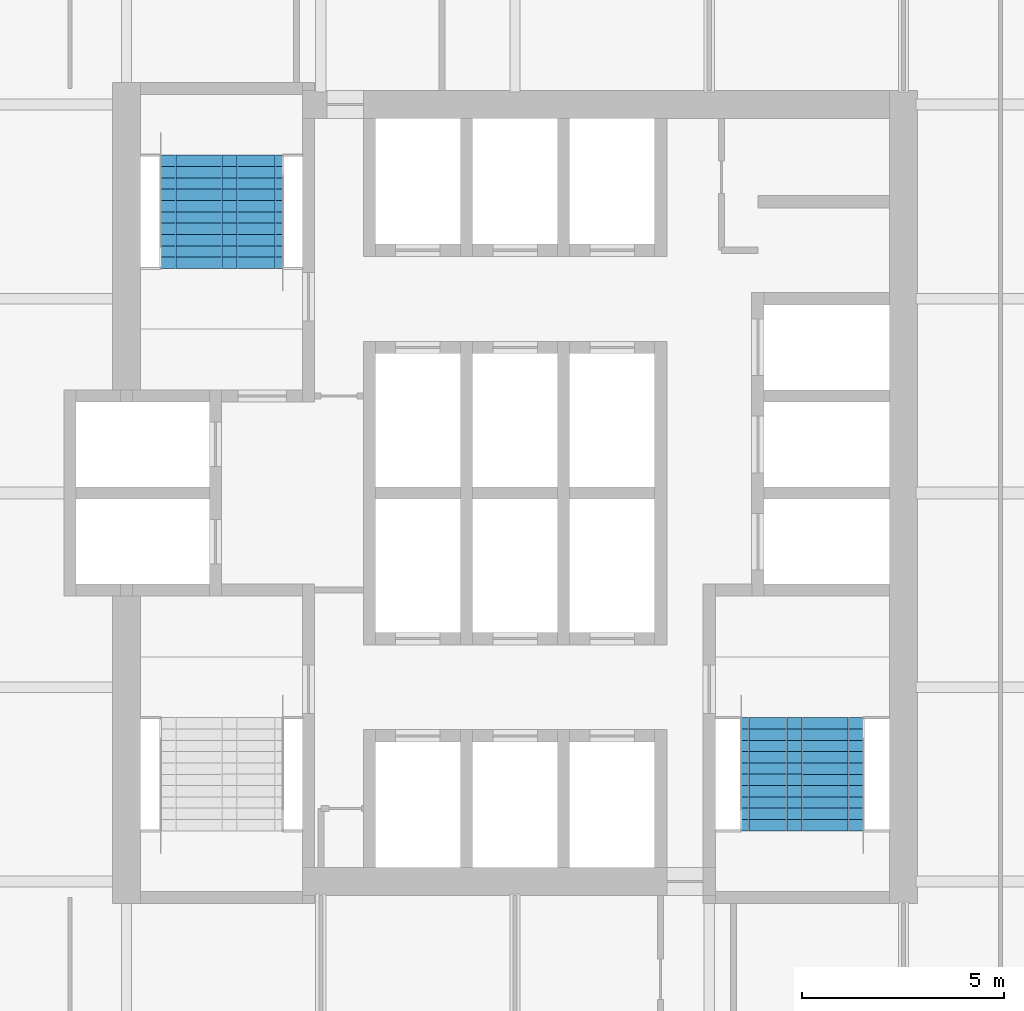
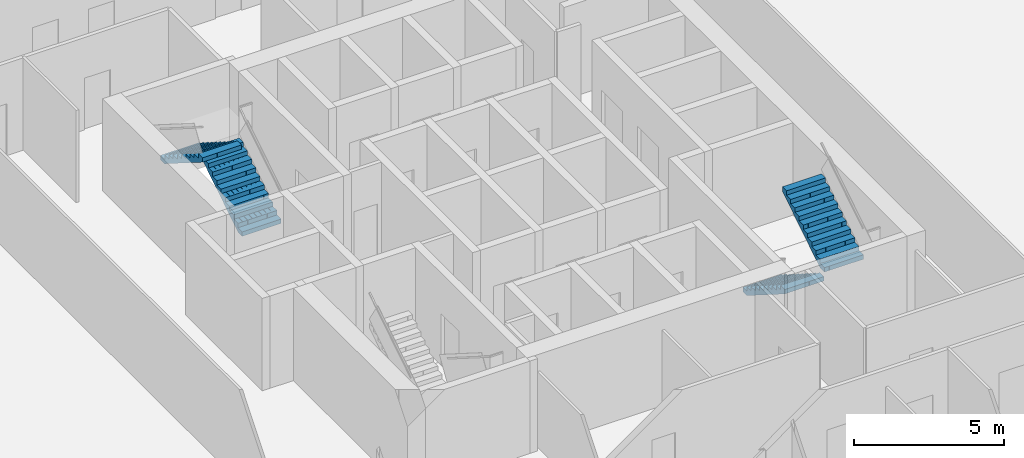
# One storey, part 13 of 15: 4 stair flights, 2 elements without a shape of their own.
"""IFC4 building model written with IfcOpenShell, lengths in metres."""

from ifc_helpers import new_model, si_unit, direction, frame, origin, place, context, subcontext, project, spatial, polyline, outline, extrude, material, type_object, element, aggregate, save


model = new_model("IFC4")

# Units and contexts
model_context = context("Model", 3, precision=1e-05, world=origin(), true_north=direction((0.0, 1.0)))
body_context = subcontext(model_context, "Body", "Model", "MODEL_VIEW")
ifc_project = project(units=[si_unit("LENGTHUNIT", "METRE"), si_unit("AREAUNIT", "SQUARE_METRE"), si_unit("VOLUMEUNIT", "CUBIC_METRE"), si_unit("PLANEANGLEUNIT", "RADIAN"), si_unit("MASSUNIT", "GRAM", prefix="KILO")], contexts=[model_context])

# Site, building, storey
site_placement = place(None, origin())
site = spatial("IfcSite", under=ifc_project, at=site_placement, CompositionType="ELEMENT")
building_placement = place(site_placement, origin())
building = spatial("IfcBuilding", under=site, at=building_placement, Name="Kolab Exchange Tower", CompositionType="ELEMENT")
storey_placement = place(building_placement, frame((0.0, 0.0, 170.0)))
storey = spatial("IfcBuildingStorey", under=building, at=storey_placement, Name="L35", CompositionType="ELEMENT", Elevation=170.0)

# Stair, stair flights
ifc_material = material(Name="Concrete C50/60", Category="concrete")
stair_type_1 = type_object("IfcStairType", Name="STAIR ST1 RISER 177.3", PredefinedType="HALF_TURN_STAIR", material=ifc_material)
stair_1_placement = place(storey_placement, origin())
stair_1 = element("IfcStair", 1, at=stair_1_placement, inside=storey, type_object=stair_type_1, Name="Stair 1", PredefinedType="HALF_TURN_STAIR")
stair_flight_type = type_object("IfcStairFlightType", Name="STAIR FLIGHT 1500 RISER 177.3", PredefinedType="STRAIGHT", material=ifc_material)
stair_flight_1_placement = place(storey_placement, frame((-6.489990234375, 5.550048828125, 0.0), z_axis=(0.0, 0.0, 1.0), x_axis=(0.0, 1.0, 0.0)))
stair_flight_1 = element("IfcStairFlight", 2, at=stair_flight_1_placement, type_object=stair_flight_type, Name="ST1 flight 1", NumberOfRisers=11, NumberOfTreads=10, PredefinedType="STRAIGHT", RiserHeight=0.177272727, TreadLength=0.28, context=body_context, shape_type="SweptSolid", body=[
    extrude(outline(polyline([(0.0, 0.0), (0.0, 0.17724609375), (0.280029296875, 0.17724609375), (0.280029296875, 0.3544921875), (0.56005859375, 0.3544921875), (0.56005859375, 0.53173828125), (0.840087890625, 0.53173828125), (0.840087890625, 0.708984375), (1.1201171875, 0.708984375), (1.1201171875, 0.886474609375), (1.39990234375, 0.886474609375), (1.39990234375, 1.063720703125), (1.679931640625, 1.063720703125), (1.679931640625, 1.240966796875), (1.9599609375, 1.240966796875), (1.9599609375, 1.418212890625), (2.239990234375, 1.418212890625), (2.239990234375, 1.595458984375), (2.52001953125, 1.595458984375), (2.52001953125, 1.772705078125), (2.800048828125, 1.772705078125), (2.800048828125, 1.949951171875), (2.800048828125, 1.59521484375), (0.2802734375, 0.0), (0.0, 0.0)])), frame((0.0, 0.75, 0.0), z_axis=(0.0, -1.0, 0.0), x_axis=(1.0, 0.0, 0.0)), (0.0, 0.0, 1.0), 0.185791015625),
    extrude(outline(polyline([(0.0, 0.0), (0.0, 0.17724609375), (0.280029296875, 0.17724609375), (0.280029296875, 0.3544921875), (0.56005859375, 0.3544921875), (0.56005859375, 0.53173828125), (0.840087890625, 0.53173828125), (0.840087890625, 0.708984375), (1.1201171875, 0.708984375), (1.1201171875, 0.886474609375), (1.39990234375, 0.886474609375), (1.39990234375, 1.063720703125), (1.679931640625, 1.063720703125), (1.679931640625, 1.240966796875), (1.9599609375, 1.240966796875), (1.9599609375, 1.418212890625), (2.239990234375, 1.418212890625), (2.239990234375, 1.595458984375), (2.52001953125, 1.595458984375), (2.52001953125, 1.772705078125), (2.800048828125, 1.772705078125), (2.800048828125, 1.949951171875), (2.800048828125, 1.59521484375), (0.2802734375, 0.0), (0.0, 0.0)])), frame((0.0, 0.562255859375, 0.0), z_axis=(0.0, -1.0, 0.0), x_axis=(1.0, 0.0, 0.0)), (0.0, 0.0, 1.0), 0.185791015625),
    extrude(outline(polyline([(0.0, 0.0), (0.0, 0.17724609375), (0.280029296875, 0.17724609375), (0.280029296875, 0.3544921875), (0.56005859375, 0.3544921875), (0.56005859375, 0.53173828125), (0.840087890625, 0.53173828125), (0.840087890625, 0.708984375), (1.1201171875, 0.708984375), (1.1201171875, 0.886474609375), (1.39990234375, 0.886474609375), (1.39990234375, 1.063720703125), (1.679931640625, 1.063720703125), (1.679931640625, 1.240966796875), (1.9599609375, 1.240966796875), (1.9599609375, 1.418212890625), (2.239990234375, 1.418212890625), (2.239990234375, 1.595458984375), (2.52001953125, 1.595458984375), (2.52001953125, 1.772705078125), (2.800048828125, 1.772705078125), (2.800048828125, 1.949951171875), (2.800048828125, 1.59521484375), (0.2802734375, 0.0), (0.0, 0.0)])), frame((0.0, 0.37451171875, 0.0), z_axis=(0.0, -1.0, 0.0), x_axis=(1.0, 0.0, 0.0)), (0.0, 0.0, 1.0), 0.185791015625),
    extrude(outline(polyline([(0.0, 0.0), (0.0, 0.17724609375), (0.280029296875, 0.17724609375), (0.280029296875, 0.3544921875), (0.56005859375, 0.3544921875), (0.56005859375, 0.53173828125), (0.840087890625, 0.53173828125), (0.840087890625, 0.708984375), (1.1201171875, 0.708984375), (1.1201171875, 0.886474609375), (1.39990234375, 0.886474609375), (1.39990234375, 1.063720703125), (1.679931640625, 1.063720703125), (1.679931640625, 1.240966796875), (1.9599609375, 1.240966796875), (1.9599609375, 1.418212890625), (2.239990234375, 1.418212890625), (2.239990234375, 1.595458984375), (2.52001953125, 1.595458984375), (2.52001953125, 1.772705078125), (2.800048828125, 1.772705078125), (2.800048828125, 1.949951171875), (2.800048828125, 1.59521484375), (0.2802734375, 0.0), (0.0, 0.0)])), frame((0.0, 0.186767578125, 0.0), z_axis=(0.0, -1.0, 0.0), x_axis=(1.0, 0.0, 0.0)), (0.0, 0.0, 1.0), 0.185791015625),
    extrude(outline(polyline([(0.0, 0.0), (0.0, 0.17724609375), (0.280029296875, 0.17724609375), (0.280029296875, 0.3544921875), (0.56005859375, 0.3544921875), (0.56005859375, 0.53173828125), (0.840087890625, 0.53173828125), (0.840087890625, 0.708984375), (1.1201171875, 0.708984375), (1.1201171875, 0.886474609375), (1.39990234375, 0.886474609375), (1.39990234375, 1.063720703125), (1.679931640625, 1.063720703125), (1.679931640625, 1.240966796875), (1.9599609375, 1.240966796875), (1.9599609375, 1.418212890625), (2.239990234375, 1.418212890625), (2.239990234375, 1.595458984375), (2.52001953125, 1.595458984375), (2.52001953125, 1.772705078125), (2.800048828125, 1.772705078125), (2.800048828125, 1.949951171875), (2.800048828125, 1.59521484375), (0.2802734375, 0.0), (0.0, 0.0)])), frame((0.0, -0.0009765625, 0.0), z_axis=(0.0, -1.0, 0.0), x_axis=(1.0, 0.0, 0.0)), (0.0, 0.0, 1.0), 0.185791015625),
    extrude(outline(polyline([(0.0, 0.0), (0.0, 0.17724609375), (0.280029296875, 0.17724609375), (0.280029296875, 0.3544921875), (0.56005859375, 0.3544921875), (0.56005859375, 0.53173828125), (0.840087890625, 0.53173828125), (0.840087890625, 0.708984375), (1.1201171875, 0.708984375), (1.1201171875, 0.886474609375), (1.39990234375, 0.886474609375), (1.39990234375, 1.063720703125), (1.679931640625, 1.063720703125), (1.679931640625, 1.240966796875), (1.9599609375, 1.240966796875), (1.9599609375, 1.418212890625), (2.239990234375, 1.418212890625), (2.239990234375, 1.595458984375), (2.52001953125, 1.595458984375), (2.52001953125, 1.772705078125), (2.800048828125, 1.772705078125), (2.800048828125, 1.949951171875), (2.800048828125, 1.59521484375), (0.2802734375, 0.0), (0.0, 0.0)])), frame((0.0, -0.188720703125, 0.0), z_axis=(0.0, -1.0, 0.0), x_axis=(1.0, 0.0, 0.0)), (0.0, 0.0, 1.0), 0.185791015625),
    extrude(outline(polyline([(0.0, 0.0), (0.0, 0.17724609375), (0.280029296875, 0.17724609375), (0.280029296875, 0.3544921875), (0.56005859375, 0.3544921875), (0.56005859375, 0.53173828125), (0.840087890625, 0.53173828125), (0.840087890625, 0.708984375), (1.1201171875, 0.708984375), (1.1201171875, 0.886474609375), (1.39990234375, 0.886474609375), (1.39990234375, 1.063720703125), (1.679931640625, 1.063720703125), (1.679931640625, 1.240966796875), (1.9599609375, 1.240966796875), (1.9599609375, 1.418212890625), (2.239990234375, 1.418212890625), (2.239990234375, 1.595458984375), (2.52001953125, 1.595458984375), (2.52001953125, 1.772705078125), (2.800048828125, 1.772705078125), (2.800048828125, 1.949951171875), (2.800048828125, 1.59521484375), (0.2802734375, 0.0), (0.0, 0.0)])), frame((0.0, -0.37646484375, 0.0), z_axis=(0.0, -1.0, 0.0), x_axis=(1.0, 0.0, 0.0)), (0.0, 0.0, 1.0), 0.185791015625),
    extrude(outline(polyline([(0.0, 0.0), (0.0, 0.17724609375), (0.280029296875, 0.17724609375), (0.280029296875, 0.3544921875), (0.56005859375, 0.3544921875), (0.56005859375, 0.53173828125), (0.840087890625, 0.53173828125), (0.840087890625, 0.708984375), (1.1201171875, 0.708984375), (1.1201171875, 0.886474609375), (1.39990234375, 0.886474609375), (1.39990234375, 1.063720703125), (1.679931640625, 1.063720703125), (1.679931640625, 1.240966796875), (1.9599609375, 1.240966796875), (1.9599609375, 1.418212890625), (2.239990234375, 1.418212890625), (2.239990234375, 1.595458984375), (2.52001953125, 1.595458984375), (2.52001953125, 1.772705078125), (2.800048828125, 1.772705078125), (2.800048828125, 1.949951171875), (2.800048828125, 1.59521484375), (0.2802734375, 0.0), (0.0, 0.0)])), frame((0.0, -0.564208984375, 0.0), z_axis=(0.0, -1.0, 0.0), x_axis=(1.0, 0.0, 0.0)), (0.0, 0.0, 1.0), 0.185791015625),
])
stair_flight_2_placement = place(storey_placement, frame((-8.010009765625, 8.35009765625, 1.949951171875), z_axis=(0.0, 0.0, 1.0), x_axis=(0.0, -1.0, 0.0)))
stair_flight_2 = element("IfcStairFlight", 3, at=stair_flight_2_placement, type_object=stair_flight_type, Name="ST1 flight 2", NumberOfRisers=11, NumberOfTreads=10, PredefinedType="STRAIGHT", RiserHeight=0.177272727, TreadLength=0.28, context=body_context, shape_type="SweptSolid", body=[
    extrude(outline(polyline([(0.0, 0.0), (0.0, 0.17724609375), (0.280029296875, 0.17724609375), (0.280029296875, 0.3544921875), (0.56005859375, 0.3544921875), (0.56005859375, 0.53173828125), (0.840087890625, 0.53173828125), (0.840087890625, 0.708984375), (1.1201171875, 0.708984375), (1.1201171875, 0.886474609375), (1.39990234375, 0.886474609375), (1.39990234375, 1.063720703125), (1.679931640625, 1.063720703125), (1.679931640625, 1.240966796875), (1.9599609375, 1.240966796875), (1.9599609375, 1.418212890625), (2.239990234375, 1.418212890625), (2.239990234375, 1.595458984375), (2.52001953125, 1.595458984375), (2.52001953125, 1.772705078125), (2.800048828125, 1.772705078125), (2.800048828125, 1.949951171875), (2.800048828125, 1.59521484375), (0.2802734375, 0.0), (0.0, 0.0)])), frame((0.0, 0.75, 0.0), z_axis=(0.0, -1.0, 0.0), x_axis=(1.0, 0.0, 0.0)), (0.0, 0.0, 1.0), 0.185791015625),
    extrude(outline(polyline([(0.0, 0.0), (0.0, 0.17724609375), (0.280029296875, 0.17724609375), (0.280029296875, 0.3544921875), (0.56005859375, 0.3544921875), (0.56005859375, 0.53173828125), (0.840087890625, 0.53173828125), (0.840087890625, 0.708984375), (1.1201171875, 0.708984375), (1.1201171875, 0.886474609375), (1.39990234375, 0.886474609375), (1.39990234375, 1.063720703125), (1.679931640625, 1.063720703125), (1.679931640625, 1.240966796875), (1.9599609375, 1.240966796875), (1.9599609375, 1.418212890625), (2.239990234375, 1.418212890625), (2.239990234375, 1.595458984375), (2.52001953125, 1.595458984375), (2.52001953125, 1.772705078125), (2.800048828125, 1.772705078125), (2.800048828125, 1.949951171875), (2.800048828125, 1.59521484375), (0.2802734375, 0.0), (0.0, 0.0)])), frame((0.0, 0.562255859375, 0.0), z_axis=(0.0, -1.0, 0.0), x_axis=(1.0, 0.0, 0.0)), (0.0, 0.0, 1.0), 0.185791015625),
    extrude(outline(polyline([(0.0, 0.0), (0.0, 0.17724609375), (0.280029296875, 0.17724609375), (0.280029296875, 0.3544921875), (0.56005859375, 0.3544921875), (0.56005859375, 0.53173828125), (0.840087890625, 0.53173828125), (0.840087890625, 0.708984375), (1.1201171875, 0.708984375), (1.1201171875, 0.886474609375), (1.39990234375, 0.886474609375), (1.39990234375, 1.063720703125), (1.679931640625, 1.063720703125), (1.679931640625, 1.240966796875), (1.9599609375, 1.240966796875), (1.9599609375, 1.418212890625), (2.239990234375, 1.418212890625), (2.239990234375, 1.595458984375), (2.52001953125, 1.595458984375), (2.52001953125, 1.772705078125), (2.800048828125, 1.772705078125), (2.800048828125, 1.949951171875), (2.800048828125, 1.59521484375), (0.2802734375, 0.0), (0.0, 0.0)])), frame((0.0, 0.37451171875, 0.0), z_axis=(0.0, -1.0, 0.0), x_axis=(1.0, 0.0, 0.0)), (0.0, 0.0, 1.0), 0.185791015625),
    extrude(outline(polyline([(0.0, 0.0), (0.0, 0.17724609375), (0.280029296875, 0.17724609375), (0.280029296875, 0.3544921875), (0.56005859375, 0.3544921875), (0.56005859375, 0.53173828125), (0.840087890625, 0.53173828125), (0.840087890625, 0.708984375), (1.1201171875, 0.708984375), (1.1201171875, 0.886474609375), (1.39990234375, 0.886474609375), (1.39990234375, 1.063720703125), (1.679931640625, 1.063720703125), (1.679931640625, 1.240966796875), (1.9599609375, 1.240966796875), (1.9599609375, 1.418212890625), (2.239990234375, 1.418212890625), (2.239990234375, 1.595458984375), (2.52001953125, 1.595458984375), (2.52001953125, 1.772705078125), (2.800048828125, 1.772705078125), (2.800048828125, 1.949951171875), (2.800048828125, 1.59521484375), (0.2802734375, 0.0), (0.0, 0.0)])), frame((0.0, 0.186767578125, 0.0), z_axis=(0.0, -1.0, 0.0), x_axis=(1.0, 0.0, 0.0)), (0.0, 0.0, 1.0), 0.185791015625),
    extrude(outline(polyline([(0.0, 0.0), (0.0, 0.17724609375), (0.280029296875, 0.17724609375), (0.280029296875, 0.3544921875), (0.56005859375, 0.3544921875), (0.56005859375, 0.53173828125), (0.840087890625, 0.53173828125), (0.840087890625, 0.708984375), (1.1201171875, 0.708984375), (1.1201171875, 0.886474609375), (1.39990234375, 0.886474609375), (1.39990234375, 1.063720703125), (1.679931640625, 1.063720703125), (1.679931640625, 1.240966796875), (1.9599609375, 1.240966796875), (1.9599609375, 1.418212890625), (2.239990234375, 1.418212890625), (2.239990234375, 1.595458984375), (2.52001953125, 1.595458984375), (2.52001953125, 1.772705078125), (2.800048828125, 1.772705078125), (2.800048828125, 1.949951171875), (2.800048828125, 1.59521484375), (0.2802734375, 0.0), (0.0, 0.0)])), frame((0.0, -0.0009765625, 0.0), z_axis=(0.0, -1.0, 0.0), x_axis=(1.0, 0.0, 0.0)), (0.0, 0.0, 1.0), 0.185791015625),
    extrude(outline(polyline([(0.0, 0.0), (0.0, 0.17724609375), (0.280029296875, 0.17724609375), (0.280029296875, 0.3544921875), (0.56005859375, 0.3544921875), (0.56005859375, 0.53173828125), (0.840087890625, 0.53173828125), (0.840087890625, 0.708984375), (1.1201171875, 0.708984375), (1.1201171875, 0.886474609375), (1.39990234375, 0.886474609375), (1.39990234375, 1.063720703125), (1.679931640625, 1.063720703125), (1.679931640625, 1.240966796875), (1.9599609375, 1.240966796875), (1.9599609375, 1.418212890625), (2.239990234375, 1.418212890625), (2.239990234375, 1.595458984375), (2.52001953125, 1.595458984375), (2.52001953125, 1.772705078125), (2.800048828125, 1.772705078125), (2.800048828125, 1.949951171875), (2.800048828125, 1.59521484375), (0.2802734375, 0.0), (0.0, 0.0)])), frame((0.0, -0.188720703125, 0.0), z_axis=(0.0, -1.0, 0.0), x_axis=(1.0, 0.0, 0.0)), (0.0, 0.0, 1.0), 0.185791015625),
    extrude(outline(polyline([(0.0, 0.0), (0.0, 0.17724609375), (0.280029296875, 0.17724609375), (0.280029296875, 0.3544921875), (0.56005859375, 0.3544921875), (0.56005859375, 0.53173828125), (0.840087890625, 0.53173828125), (0.840087890625, 0.708984375), (1.1201171875, 0.708984375), (1.1201171875, 0.886474609375), (1.39990234375, 0.886474609375), (1.39990234375, 1.063720703125), (1.679931640625, 1.063720703125), (1.679931640625, 1.240966796875), (1.9599609375, 1.240966796875), (1.9599609375, 1.418212890625), (2.239990234375, 1.418212890625), (2.239990234375, 1.595458984375), (2.52001953125, 1.595458984375), (2.52001953125, 1.772705078125), (2.800048828125, 1.772705078125), (2.800048828125, 1.949951171875), (2.800048828125, 1.59521484375), (0.2802734375, 0.0), (0.0, 0.0)])), frame((0.0, -0.37646484375, 0.0), z_axis=(0.0, -1.0, 0.0), x_axis=(1.0, 0.0, 0.0)), (0.0, 0.0, 1.0), 0.185791015625),
    extrude(outline(polyline([(0.0, 0.0), (0.0, 0.17724609375), (0.280029296875, 0.17724609375), (0.280029296875, 0.3544921875), (0.56005859375, 0.3544921875), (0.56005859375, 0.53173828125), (0.840087890625, 0.53173828125), (0.840087890625, 0.708984375), (1.1201171875, 0.708984375), (1.1201171875, 0.886474609375), (1.39990234375, 0.886474609375), (1.39990234375, 1.063720703125), (1.679931640625, 1.063720703125), (1.679931640625, 1.240966796875), (1.9599609375, 1.240966796875), (1.9599609375, 1.418212890625), (2.239990234375, 1.418212890625), (2.239990234375, 1.595458984375), (2.52001953125, 1.595458984375), (2.52001953125, 1.772705078125), (2.800048828125, 1.772705078125), (2.800048828125, 1.949951171875), (2.800048828125, 1.59521484375), (0.2802734375, 0.0), (0.0, 0.0)])), frame((0.0, -0.564208984375, 0.0), z_axis=(0.0, -1.0, 0.0), x_axis=(1.0, 0.0, 0.0)), (0.0, 0.0, 1.0), 0.185791015625),
])
aggregate(stair_1, [stair_flight_1, stair_flight_2])

stair_type_2 = type_object("IfcStairType", Name="STAIR ST2 RISER 177.3", PredefinedType="HALF_TURN_STAIR", material=ifc_material)
stair_2_placement = place(storey_placement, origin())
stair_2 = element("IfcStair", 4, at=stair_2_placement, inside=storey, type_object=stair_type_2, Name="Stair 2", PredefinedType="HALF_TURN_STAIR")
stair_flight_3_placement = place(storey_placement, frame((6.340087890625, -5.550048828125, 0.0), z_axis=(0.0, 0.0, 1.0), x_axis=(0.0, -1.0, 0.0)))
stair_flight_3 = element("IfcStairFlight", 5, at=stair_flight_3_placement, type_object=stair_flight_type, Name="ST2 flight 1", NumberOfRisers=11, NumberOfTreads=10, PredefinedType="STRAIGHT", RiserHeight=0.177272727, TreadLength=0.28, context=body_context, shape_type="SweptSolid", body=[
    extrude(outline(polyline([(0.0, 0.0), (0.0, 0.17724609375), (0.280029296875, 0.17724609375), (0.280029296875, 0.3544921875), (0.56005859375, 0.3544921875), (0.56005859375, 0.53173828125), (0.840087890625, 0.53173828125), (0.840087890625, 0.708984375), (1.1201171875, 0.708984375), (1.1201171875, 0.886474609375), (1.39990234375, 0.886474609375), (1.39990234375, 1.063720703125), (1.679931640625, 1.063720703125), (1.679931640625, 1.240966796875), (1.9599609375, 1.240966796875), (1.9599609375, 1.418212890625), (2.239990234375, 1.418212890625), (2.239990234375, 1.595458984375), (2.52001953125, 1.595458984375), (2.52001953125, 1.772705078125), (2.800048828125, 1.772705078125), (2.800048828125, 1.949951171875), (2.800048828125, 1.59521484375), (0.2802734375, 0.0), (0.0, 0.0)])), frame((0.0, 0.75, 0.0), z_axis=(0.0, -1.0, 0.0), x_axis=(1.0, 0.0, 0.0)), (0.0, 0.0, 1.0), 0.185791015625),
    extrude(outline(polyline([(0.0, 0.0), (0.0, 0.17724609375), (0.280029296875, 0.17724609375), (0.280029296875, 0.3544921875), (0.56005859375, 0.3544921875), (0.56005859375, 0.53173828125), (0.840087890625, 0.53173828125), (0.840087890625, 0.708984375), (1.1201171875, 0.708984375), (1.1201171875, 0.886474609375), (1.39990234375, 0.886474609375), (1.39990234375, 1.063720703125), (1.679931640625, 1.063720703125), (1.679931640625, 1.240966796875), (1.9599609375, 1.240966796875), (1.9599609375, 1.418212890625), (2.239990234375, 1.418212890625), (2.239990234375, 1.595458984375), (2.52001953125, 1.595458984375), (2.52001953125, 1.772705078125), (2.800048828125, 1.772705078125), (2.800048828125, 1.949951171875), (2.800048828125, 1.59521484375), (0.2802734375, 0.0), (0.0, 0.0)])), frame((0.0, 0.562255859375, 0.0), z_axis=(0.0, -1.0, 0.0), x_axis=(1.0, 0.0, 0.0)), (0.0, 0.0, 1.0), 0.185791015625),
    extrude(outline(polyline([(0.0, 0.0), (0.0, 0.17724609375), (0.280029296875, 0.17724609375), (0.280029296875, 0.3544921875), (0.56005859375, 0.3544921875), (0.56005859375, 0.53173828125), (0.840087890625, 0.53173828125), (0.840087890625, 0.708984375), (1.1201171875, 0.708984375), (1.1201171875, 0.886474609375), (1.39990234375, 0.886474609375), (1.39990234375, 1.063720703125), (1.679931640625, 1.063720703125), (1.679931640625, 1.240966796875), (1.9599609375, 1.240966796875), (1.9599609375, 1.418212890625), (2.239990234375, 1.418212890625), (2.239990234375, 1.595458984375), (2.52001953125, 1.595458984375), (2.52001953125, 1.772705078125), (2.800048828125, 1.772705078125), (2.800048828125, 1.949951171875), (2.800048828125, 1.59521484375), (0.2802734375, 0.0), (0.0, 0.0)])), frame((0.0, 0.37451171875, 0.0), z_axis=(0.0, -1.0, 0.0), x_axis=(1.0, 0.0, 0.0)), (0.0, 0.0, 1.0), 0.185791015625),
    extrude(outline(polyline([(0.0, 0.0), (0.0, 0.17724609375), (0.280029296875, 0.17724609375), (0.280029296875, 0.3544921875), (0.56005859375, 0.3544921875), (0.56005859375, 0.53173828125), (0.840087890625, 0.53173828125), (0.840087890625, 0.708984375), (1.1201171875, 0.708984375), (1.1201171875, 0.886474609375), (1.39990234375, 0.886474609375), (1.39990234375, 1.063720703125), (1.679931640625, 1.063720703125), (1.679931640625, 1.240966796875), (1.9599609375, 1.240966796875), (1.9599609375, 1.418212890625), (2.239990234375, 1.418212890625), (2.239990234375, 1.595458984375), (2.52001953125, 1.595458984375), (2.52001953125, 1.772705078125), (2.800048828125, 1.772705078125), (2.800048828125, 1.949951171875), (2.800048828125, 1.59521484375), (0.2802734375, 0.0), (0.0, 0.0)])), frame((0.0, 0.186767578125, 0.0), z_axis=(0.0, -1.0, 0.0), x_axis=(1.0, 0.0, 0.0)), (0.0, 0.0, 1.0), 0.185791015625),
    extrude(outline(polyline([(0.0, 0.0), (0.0, 0.17724609375), (0.280029296875, 0.17724609375), (0.280029296875, 0.3544921875), (0.56005859375, 0.3544921875), (0.56005859375, 0.53173828125), (0.840087890625, 0.53173828125), (0.840087890625, 0.708984375), (1.1201171875, 0.708984375), (1.1201171875, 0.886474609375), (1.39990234375, 0.886474609375), (1.39990234375, 1.063720703125), (1.679931640625, 1.063720703125), (1.679931640625, 1.240966796875), (1.9599609375, 1.240966796875), (1.9599609375, 1.418212890625), (2.239990234375, 1.418212890625), (2.239990234375, 1.595458984375), (2.52001953125, 1.595458984375), (2.52001953125, 1.772705078125), (2.800048828125, 1.772705078125), (2.800048828125, 1.949951171875), (2.800048828125, 1.59521484375), (0.2802734375, 0.0), (0.0, 0.0)])), frame((0.0, -0.0009765625, 0.0), z_axis=(0.0, -1.0, 0.0), x_axis=(1.0, 0.0, 0.0)), (0.0, 0.0, 1.0), 0.185791015625),
    extrude(outline(polyline([(0.0, 0.0), (0.0, 0.17724609375), (0.280029296875, 0.17724609375), (0.280029296875, 0.3544921875), (0.56005859375, 0.3544921875), (0.56005859375, 0.53173828125), (0.840087890625, 0.53173828125), (0.840087890625, 0.708984375), (1.1201171875, 0.708984375), (1.1201171875, 0.886474609375), (1.39990234375, 0.886474609375), (1.39990234375, 1.063720703125), (1.679931640625, 1.063720703125), (1.679931640625, 1.240966796875), (1.9599609375, 1.240966796875), (1.9599609375, 1.418212890625), (2.239990234375, 1.418212890625), (2.239990234375, 1.595458984375), (2.52001953125, 1.595458984375), (2.52001953125, 1.772705078125), (2.800048828125, 1.772705078125), (2.800048828125, 1.949951171875), (2.800048828125, 1.59521484375), (0.2802734375, 0.0), (0.0, 0.0)])), frame((0.0, -0.188720703125, 0.0), z_axis=(0.0, -1.0, 0.0), x_axis=(1.0, 0.0, 0.0)), (0.0, 0.0, 1.0), 0.185791015625),
    extrude(outline(polyline([(0.0, 0.0), (0.0, 0.17724609375), (0.280029296875, 0.17724609375), (0.280029296875, 0.3544921875), (0.56005859375, 0.3544921875), (0.56005859375, 0.53173828125), (0.840087890625, 0.53173828125), (0.840087890625, 0.708984375), (1.1201171875, 0.708984375), (1.1201171875, 0.886474609375), (1.39990234375, 0.886474609375), (1.39990234375, 1.063720703125), (1.679931640625, 1.063720703125), (1.679931640625, 1.240966796875), (1.9599609375, 1.240966796875), (1.9599609375, 1.418212890625), (2.239990234375, 1.418212890625), (2.239990234375, 1.595458984375), (2.52001953125, 1.595458984375), (2.52001953125, 1.772705078125), (2.800048828125, 1.772705078125), (2.800048828125, 1.949951171875), (2.800048828125, 1.59521484375), (0.2802734375, 0.0), (0.0, 0.0)])), frame((0.0, -0.37646484375, 0.0), z_axis=(0.0, -1.0, 0.0), x_axis=(1.0, 0.0, 0.0)), (0.0, 0.0, 1.0), 0.185791015625),
    extrude(outline(polyline([(0.0, 0.0), (0.0, 0.17724609375), (0.280029296875, 0.17724609375), (0.280029296875, 0.3544921875), (0.56005859375, 0.3544921875), (0.56005859375, 0.53173828125), (0.840087890625, 0.53173828125), (0.840087890625, 0.708984375), (1.1201171875, 0.708984375), (1.1201171875, 0.886474609375), (1.39990234375, 0.886474609375), (1.39990234375, 1.063720703125), (1.679931640625, 1.063720703125), (1.679931640625, 1.240966796875), (1.9599609375, 1.240966796875), (1.9599609375, 1.418212890625), (2.239990234375, 1.418212890625), (2.239990234375, 1.595458984375), (2.52001953125, 1.595458984375), (2.52001953125, 1.772705078125), (2.800048828125, 1.772705078125), (2.800048828125, 1.949951171875), (2.800048828125, 1.59521484375), (0.2802734375, 0.0), (0.0, 0.0)])), frame((0.0, -0.564208984375, 0.0), z_axis=(0.0, -1.0, 0.0), x_axis=(1.0, 0.0, 0.0)), (0.0, 0.0, 1.0), 0.185791015625),
])
stair_flight_4_placement = place(storey_placement, frame((7.860107421875, -8.35009765625, 1.949951171875), z_axis=(0.0, 0.0, 1.0), x_axis=(0.0, 1.0, 0.0)))
stair_flight_4 = element("IfcStairFlight", 6, at=stair_flight_4_placement, type_object=stair_flight_type, Name="ST2 flight 2", NumberOfRisers=11, NumberOfTreads=10, PredefinedType="STRAIGHT", RiserHeight=0.177272727, TreadLength=0.28, context=body_context, shape_type="SweptSolid", body=[
    extrude(outline(polyline([(0.0, 0.0), (0.0, 0.17724609375), (0.280029296875, 0.17724609375), (0.280029296875, 0.3544921875), (0.56005859375, 0.3544921875), (0.56005859375, 0.53173828125), (0.840087890625, 0.53173828125), (0.840087890625, 0.708984375), (1.1201171875, 0.708984375), (1.1201171875, 0.886474609375), (1.39990234375, 0.886474609375), (1.39990234375, 1.063720703125), (1.679931640625, 1.063720703125), (1.679931640625, 1.240966796875), (1.9599609375, 1.240966796875), (1.9599609375, 1.418212890625), (2.239990234375, 1.418212890625), (2.239990234375, 1.595458984375), (2.52001953125, 1.595458984375), (2.52001953125, 1.772705078125), (2.800048828125, 1.772705078125), (2.800048828125, 1.949951171875), (2.800048828125, 1.59521484375), (0.2802734375, 0.0), (0.0, 0.0)])), frame((0.0, 0.75, 0.0), z_axis=(0.0, -1.0, 0.0), x_axis=(1.0, 0.0, 0.0)), (0.0, 0.0, 1.0), 0.185791015625),
    extrude(outline(polyline([(0.0, 0.0), (0.0, 0.17724609375), (0.280029296875, 0.17724609375), (0.280029296875, 0.3544921875), (0.56005859375, 0.3544921875), (0.56005859375, 0.53173828125), (0.840087890625, 0.53173828125), (0.840087890625, 0.708984375), (1.1201171875, 0.708984375), (1.1201171875, 0.886474609375), (1.39990234375, 0.886474609375), (1.39990234375, 1.063720703125), (1.679931640625, 1.063720703125), (1.679931640625, 1.240966796875), (1.9599609375, 1.240966796875), (1.9599609375, 1.418212890625), (2.239990234375, 1.418212890625), (2.239990234375, 1.595458984375), (2.52001953125, 1.595458984375), (2.52001953125, 1.772705078125), (2.800048828125, 1.772705078125), (2.800048828125, 1.949951171875), (2.800048828125, 1.59521484375), (0.2802734375, 0.0), (0.0, 0.0)])), frame((0.0, 0.562255859375, 0.0), z_axis=(0.0, -1.0, 0.0), x_axis=(1.0, 0.0, 0.0)), (0.0, 0.0, 1.0), 0.185791015625),
    extrude(outline(polyline([(0.0, 0.0), (0.0, 0.17724609375), (0.280029296875, 0.17724609375), (0.280029296875, 0.3544921875), (0.56005859375, 0.3544921875), (0.56005859375, 0.53173828125), (0.840087890625, 0.53173828125), (0.840087890625, 0.708984375), (1.1201171875, 0.708984375), (1.1201171875, 0.886474609375), (1.39990234375, 0.886474609375), (1.39990234375, 1.063720703125), (1.679931640625, 1.063720703125), (1.679931640625, 1.240966796875), (1.9599609375, 1.240966796875), (1.9599609375, 1.418212890625), (2.239990234375, 1.418212890625), (2.239990234375, 1.595458984375), (2.52001953125, 1.595458984375), (2.52001953125, 1.772705078125), (2.800048828125, 1.772705078125), (2.800048828125, 1.949951171875), (2.800048828125, 1.59521484375), (0.2802734375, 0.0), (0.0, 0.0)])), frame((0.0, 0.37451171875, 0.0), z_axis=(0.0, -1.0, 0.0), x_axis=(1.0, 0.0, 0.0)), (0.0, 0.0, 1.0), 0.185791015625),
    extrude(outline(polyline([(0.0, 0.0), (0.0, 0.17724609375), (0.280029296875, 0.17724609375), (0.280029296875, 0.3544921875), (0.56005859375, 0.3544921875), (0.56005859375, 0.53173828125), (0.840087890625, 0.53173828125), (0.840087890625, 0.708984375), (1.1201171875, 0.708984375), (1.1201171875, 0.886474609375), (1.39990234375, 0.886474609375), (1.39990234375, 1.063720703125), (1.679931640625, 1.063720703125), (1.679931640625, 1.240966796875), (1.9599609375, 1.240966796875), (1.9599609375, 1.418212890625), (2.239990234375, 1.418212890625), (2.239990234375, 1.595458984375), (2.52001953125, 1.595458984375), (2.52001953125, 1.772705078125), (2.800048828125, 1.772705078125), (2.800048828125, 1.949951171875), (2.800048828125, 1.59521484375), (0.2802734375, 0.0), (0.0, 0.0)])), frame((0.0, 0.186767578125, 0.0), z_axis=(0.0, -1.0, 0.0), x_axis=(1.0, 0.0, 0.0)), (0.0, 0.0, 1.0), 0.185791015625),
    extrude(outline(polyline([(0.0, 0.0), (0.0, 0.17724609375), (0.280029296875, 0.17724609375), (0.280029296875, 0.3544921875), (0.56005859375, 0.3544921875), (0.56005859375, 0.53173828125), (0.840087890625, 0.53173828125), (0.840087890625, 0.708984375), (1.1201171875, 0.708984375), (1.1201171875, 0.886474609375), (1.39990234375, 0.886474609375), (1.39990234375, 1.063720703125), (1.679931640625, 1.063720703125), (1.679931640625, 1.240966796875), (1.9599609375, 1.240966796875), (1.9599609375, 1.418212890625), (2.239990234375, 1.418212890625), (2.239990234375, 1.595458984375), (2.52001953125, 1.595458984375), (2.52001953125, 1.772705078125), (2.800048828125, 1.772705078125), (2.800048828125, 1.949951171875), (2.800048828125, 1.59521484375), (0.2802734375, 0.0), (0.0, 0.0)])), frame((0.0, -0.0009765625, 0.0), z_axis=(0.0, -1.0, 0.0), x_axis=(1.0, 0.0, 0.0)), (0.0, 0.0, 1.0), 0.185791015625),
    extrude(outline(polyline([(0.0, 0.0), (0.0, 0.17724609375), (0.280029296875, 0.17724609375), (0.280029296875, 0.3544921875), (0.56005859375, 0.3544921875), (0.56005859375, 0.53173828125), (0.840087890625, 0.53173828125), (0.840087890625, 0.708984375), (1.1201171875, 0.708984375), (1.1201171875, 0.886474609375), (1.39990234375, 0.886474609375), (1.39990234375, 1.063720703125), (1.679931640625, 1.063720703125), (1.679931640625, 1.240966796875), (1.9599609375, 1.240966796875), (1.9599609375, 1.418212890625), (2.239990234375, 1.418212890625), (2.239990234375, 1.595458984375), (2.52001953125, 1.595458984375), (2.52001953125, 1.772705078125), (2.800048828125, 1.772705078125), (2.800048828125, 1.949951171875), (2.800048828125, 1.59521484375), (0.2802734375, 0.0), (0.0, 0.0)])), frame((0.0, -0.188720703125, 0.0), z_axis=(0.0, -1.0, 0.0), x_axis=(1.0, 0.0, 0.0)), (0.0, 0.0, 1.0), 0.185791015625),
    extrude(outline(polyline([(0.0, 0.0), (0.0, 0.17724609375), (0.280029296875, 0.17724609375), (0.280029296875, 0.3544921875), (0.56005859375, 0.3544921875), (0.56005859375, 0.53173828125), (0.840087890625, 0.53173828125), (0.840087890625, 0.708984375), (1.1201171875, 0.708984375), (1.1201171875, 0.886474609375), (1.39990234375, 0.886474609375), (1.39990234375, 1.063720703125), (1.679931640625, 1.063720703125), (1.679931640625, 1.240966796875), (1.9599609375, 1.240966796875), (1.9599609375, 1.418212890625), (2.239990234375, 1.418212890625), (2.239990234375, 1.595458984375), (2.52001953125, 1.595458984375), (2.52001953125, 1.772705078125), (2.800048828125, 1.772705078125), (2.800048828125, 1.949951171875), (2.800048828125, 1.59521484375), (0.2802734375, 0.0), (0.0, 0.0)])), frame((0.0, -0.37646484375, 0.0), z_axis=(0.0, -1.0, 0.0), x_axis=(1.0, 0.0, 0.0)), (0.0, 0.0, 1.0), 0.185791015625),
    extrude(outline(polyline([(0.0, 0.0), (0.0, 0.17724609375), (0.280029296875, 0.17724609375), (0.280029296875, 0.3544921875), (0.56005859375, 0.3544921875), (0.56005859375, 0.53173828125), (0.840087890625, 0.53173828125), (0.840087890625, 0.708984375), (1.1201171875, 0.708984375), (1.1201171875, 0.886474609375), (1.39990234375, 0.886474609375), (1.39990234375, 1.063720703125), (1.679931640625, 1.063720703125), (1.679931640625, 1.240966796875), (1.9599609375, 1.240966796875), (1.9599609375, 1.418212890625), (2.239990234375, 1.418212890625), (2.239990234375, 1.595458984375), (2.52001953125, 1.595458984375), (2.52001953125, 1.772705078125), (2.800048828125, 1.772705078125), (2.800048828125, 1.949951171875), (2.800048828125, 1.59521484375), (0.2802734375, 0.0), (0.0, 0.0)])), frame((0.0, -0.564208984375, 0.0), z_axis=(0.0, -1.0, 0.0), x_axis=(1.0, 0.0, 0.0)), (0.0, 0.0, 1.0), 0.185791015625),
])
aggregate(stair_2, [stair_flight_3, stair_flight_4])

save(model, "model.ifc")
